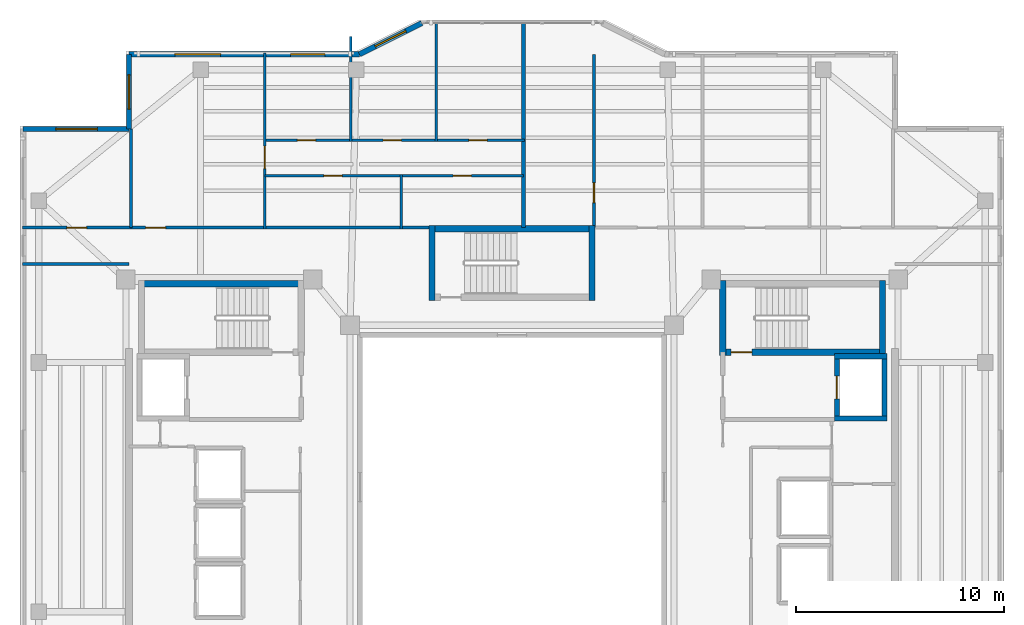
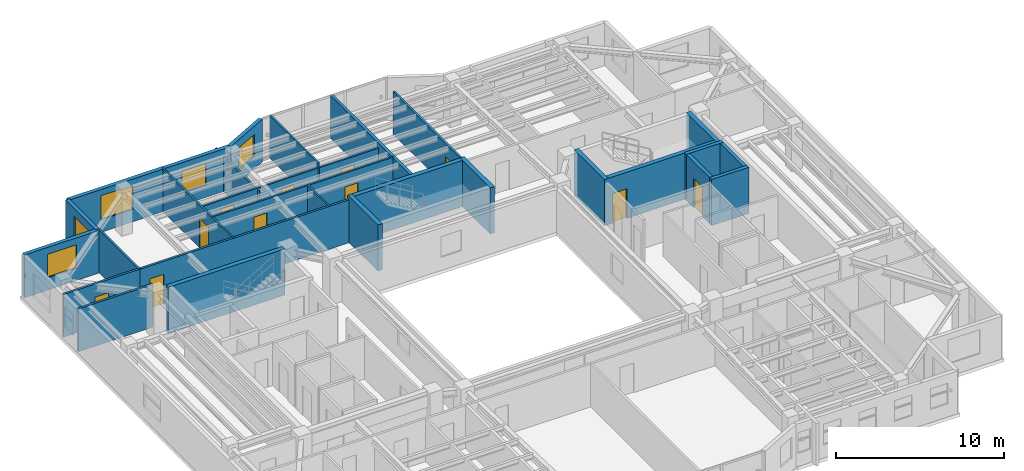
# One storey, part 9 of 13: 28 walls, 11 doors, 5 windows, 16 openings.
"""IFC4 building model written with IfcOpenShell, lengths in metres."""

from ifc_helpers import new_model, si_unit, direction, frame, frame_2d, origin, place, context, subcontext, project, spatial, rectangle, extrude, material, layer, layer_set, type_object, element, fill, save


model = new_model("IFC4")

# Units and contexts
model_context = context("Model", 3, precision=1e-05, world=origin(), true_north=direction((0.0, 1.0)))
body_context = subcontext(model_context, "Body", "Model", "MODEL_VIEW")
ifc_project = project(units=[si_unit("LENGTHUNIT", "METRE"), si_unit("AREAUNIT", "SQUARE_METRE"), si_unit("VOLUMEUNIT", "CUBIC_METRE"), si_unit("PLANEANGLEUNIT", "RADIAN"), si_unit("MASSUNIT", "GRAM", prefix="KILO")], contexts=[model_context])

# Site, building, storey
site_placement = place(None, origin())
site = spatial("IfcSite", under=ifc_project, at=site_placement, CompositionType="ELEMENT")
building_placement = place(site_placement, origin())
building = spatial("IfcBuilding", under=site, at=building_placement, Name="Tarnavaz Court Tower", CompositionType="ELEMENT")
storey_placement = place(building_placement, frame((0.0, 0.0, 196.949951171875)))
storey = spatial("IfcBuildingStorey", under=building, at=storey_placement, Name="L53", CompositionType="ELEMENT", Elevation=196.949951171875)

# Wall, opening, door
ifc_material_1 = material(Name="Concrete C50/60", Category="concrete")
ifc_layer_1 = layer(ifc_material_1, 0.25)
ifc_layer_set_1 = layer_set([ifc_layer_1], Name="Concrete C50/60")
wall_type_1 = type_object("IfcWallType", Name="WL-CORE-250-C50", PredefinedType="SHEAR", material=ifc_layer_set_1)
wall_1_placement = place(storey_placement, frame((15.64990234375, 3.175048828125, 0.0), z_axis=(0.0, 0.0, 1.0), x_axis=(0.0, 1.0, 0.0)))
wall_1 = element("IfcWall", 1, at=wall_1_placement, inside=storey, type_object=wall_type_1, Name="L53 Lift FL-E1 Shaft Wall 033", PredefinedType="SHEAR", context=body_context, shape_type="SweptSolid", body=[
    extrude(rectangle(XDim=3.25, YDim=0.25, at=frame_2d((1.625, 0.0))), origin(), (0.0, 0.0, 1.0), 3.35009765625),
])
opening_1_placement = place(wall_1_placement, frame((1.074951171875, 0.0, 0.0)))
opening_1 = element("IfcOpeningElement", 2, at=opening_1_placement, cuts=wall_1, Name="Opening LD1", PredefinedType="OPENING", context=body_context, shape_type="SweptSolid", body=[
    extrude(rectangle(XDim=1.10009765625, YDim=2.14990234375, at=frame_2d((0.550048828125, 1.074951171875))), frame((0.0, 0.135009765625, 0.0), z_axis=(0.0, -1.0, 0.0), x_axis=(1.0, 0.0, 0.0)), (0.0, 0.0, 1.0), 0.27001953125),
])
ifc_material_2 = material(Name="Stainless Steel", Category="steel")
door_type_1 = type_object("IfcDoorType", Name="DR-LD-1100", OperationType="NOTDEFINED", PredefinedType="DOOR", material=ifc_material_2)
door_1_placement = place(opening_1_placement, origin())
door_1 = element("IfcDoor", 3, at=door_1_placement, inside=storey, type_object=door_type_1, Name="L53 Lift Landing Door LD-FL-E1", OperationType="SLIDING_TO_LEFT", OverallHeight=2.14990234375, OverallWidth=1.10009765625, PredefinedType="DOOR", context=body_context, shape_type="SweptSolid", body=[
    extrude(rectangle(XDim=1.10009765625, YDim=2.14990234375, at=frame_2d((0.550048828125, 1.074951171875))), frame((0.0, 0.02490234375, 0.0), z_axis=(0.0, -1.0, 0.0), x_axis=(1.0, 0.0, 0.0)), (0.0, 0.0, 1.0), 0.050048828125),
])
fill(opening_1, door_1)

# Walls
wall_2_placement = place(storey_placement, frame((17.949951171875, 3.175048828125, 0.0), z_axis=(0.0, 0.0, 1.0), x_axis=(0.0, 1.0, 0.0)))
element("IfcWall", 4, at=wall_2_placement, inside=storey, type_object=wall_type_1, Name="L53 Lift FL-E1 Shaft Wall 034", PredefinedType="SHEAR", context=body_context, shape_type="SweptSolid", body=[
    extrude(rectangle(XDim=3.25, YDim=0.25, at=frame_2d((1.625, 0.0))), origin(), (0.0, 0.0, 1.0), 3.35009765625),
])
for number, where, z_axis, x_axis, name in (
    (5, (15.52490234375, 3.300048828125, 0.0), (0.0, 0.0, 1.0), (1.0, 0.0, 0.0), "L53 Lift FL-E1 Shaft Wall 035"),
    (6, (15.52490234375, 6.300048828125, 0.0), (0.0, 0.0, 1.0), (1.0, 0.0, 0.0), "L53 Lift FL-E1 Shaft Wall 036"),
):
    element("IfcWall", number, at=place(storey_placement, frame(where, z_axis=z_axis, x_axis=x_axis)), inside=storey, type_object=wall_type_1, Name=name, PredefinedType="SHEAR", context=body_context, shape_type="SweptSolid", body=[
        extrude(rectangle(XDim=2.550048828125, YDim=0.25, at=frame_2d((1.27490234375, 0.0))), origin(), (0.0, 0.0, 1.0), 3.35009765625),
    ])
ifc_layer_2 = layer(ifc_material_1, 0.300048828125)
ifc_layer_set_2 = layer_set([ifc_layer_2], Name="Concrete C50/60")
wall_type_2 = type_object("IfcWallType", Name="WL-CORE-300-C50", PredefinedType="SHEAR", material=ifc_layer_set_2)
wall_3_placement = place(storey_placement, frame((-18.0, 9.7900390625, 0.0), z_axis=(0.0, 0.0, 1.0), x_axis=(1.0, 0.0, 0.0)))
element("IfcWall", 7, at=wall_3_placement, inside=storey, type_object=wall_type_2, Name="L53 West Stair Core Wall 001", PredefinedType="SHEAR", context=body_context, shape_type="SweptSolid", body=[
    extrude(rectangle(XDim=8.0, YDim=0.300048828125, at=frame_2d((4.0, 0.0))), origin(), (0.0, 0.0, 1.0), 3.35009765625),
])

# Wall, opening, door
wall_4_placement = place(storey_placement, frame((10.0, 6.5, 0.0), z_axis=(0.0, 0.0, 1.0), x_axis=(1.0, 0.0, 0.0)))
wall_4 = element("IfcWall", 8, at=wall_4_placement, inside=storey, type_object=wall_type_2, Name="L53 East Stair Core Wall 006", PredefinedType="SHEAR", context=body_context, shape_type="SweptSolid", body=[
    extrude(rectangle(XDim=8.0, YDim=0.300048828125, at=frame_2d((4.0, 0.0))), origin(), (0.0, 0.0, 1.0), 3.35009765625),
])
opening_2_placement = place(wall_4_placement, frame((0.550048828125, 0.0, 0.0)))
opening_2 = element("IfcOpeningElement", 9, at=opening_2_placement, cuts=wall_4, Name="Opening D01", PredefinedType="OPENING", context=body_context, shape_type="SweptSolid", body=[
    extrude(rectangle(XDim=1.0, YDim=2.14990234375, at=frame_2d((0.5, 1.074951171875))), frame((0.0, 0.159912109375, 0.0), z_axis=(0.0, -1.0, 0.0), x_axis=(1.0, 0.0, 0.0)), (0.0, 0.0, 1.0), 0.320068359375),
])
ifc_material_3 = material(Name="Fire-Rated Hardwood Timber Core", Category="wood")
door_type_2 = type_object("IfcDoorType", Name="DR-FD90-1000", OperationType="NOTDEFINED", PredefinedType="DOOR", material=ifc_material_3)
door_2_placement = place(opening_2_placement, origin())
door_2 = element("IfcDoor", 10, at=door_2_placement, inside=storey, type_object=door_type_2, Name="L53 Stair ST-E1 Exit Door", OperationType="SINGLE_SWING_RIGHT", OverallHeight=2.14990234375, OverallWidth=1.0, PredefinedType="DOOR", context=body_context, shape_type="SweptSolid", body=[
    extrude(rectangle(XDim=1.0, YDim=2.14990234375, at=frame_2d((0.5, 1.074951171875))), frame((0.0, 0.02490234375, 0.0), z_axis=(0.0, -1.0, 0.0), x_axis=(1.0, 0.0, 0.0)), (0.0, 0.0, 1.0), 0.050048828125),
])
fill(opening_2, door_2)

# Walls
for number, where, z_axis, x_axis, name in (
    (11, (10.14990234375, 6.35009765625, 0.0), (0.0, 0.0, 1.0), (0.0, 1.0, 0.0), "L53 East Stair Core Wall 007"),
    (12, (17.85009765625, 6.35009765625, 0.0), (0.0, 0.0, 1.0), (0.0, 1.0, 0.0), "L53 East Stair Core Wall 008"),
):
    element("IfcWall", number, at=place(storey_placement, frame(where, z_axis=z_axis, x_axis=x_axis)), inside=storey, type_object=wall_type_2, Name=name, PredefinedType="SHEAR", context=body_context, shape_type="SweptSolid", body=[
        extrude(rectangle(XDim=3.58984375, YDim=0.300048828125, at=frame_2d((1.794921875, 0.0))), origin(), (0.0, 0.0, 1.0), 3.35009765625),
    ])
wall_5_placement = place(storey_placement, frame((-4.0, 12.43994140625, 0.0), z_axis=(0.0, 0.0, 1.0), x_axis=(1.0, 0.0, 0.0)))
element("IfcWall", 13, at=wall_5_placement, inside=storey, type_object=wall_type_2, Name="L53 North Stair Core Wall 009", PredefinedType="SHEAR", context=body_context, shape_type="SweptSolid", body=[
    extrude(rectangle(XDim=8.0, YDim=0.300048828125, at=frame_2d((4.0, 0.0))), origin(), (0.0, 0.0, 1.0), 3.35009765625),
])
for number, where, z_axis, x_axis, name in (
    (14, (-3.85009765625, 9.0, 0.0), (0.0, 0.0, 1.0), (0.0, 1.0, 0.0), "L53 North Stair Core Wall 011"),
    (15, (3.85009765625, 9.0, 0.0), (0.0, 0.0, 1.0), (0.0, 1.0, 0.0), "L53 North Stair Core Wall 012"),
):
    element("IfcWall", number, at=place(storey_placement, frame(where, z_axis=z_axis, x_axis=x_axis)), inside=storey, type_object=wall_type_2, Name=name, PredefinedType="SHEAR", context=body_context, shape_type="SweptSolid", body=[
        extrude(rectangle(XDim=3.590087890625, YDim=0.300048828125, at=frame_2d((1.794921875, 0.0))), origin(), (0.0, 0.0, 1.0), 3.35009765625),
    ])

# Wall, opening, window
ifc_material_4 = material(Name="Precast Concrete C40/50", Category="concrete")
ifc_layer_3 = layer(ifc_material_4, 0.260009765625)
ifc_layer_set_3 = layer_set([ifc_layer_3], Name="Precast Concrete C40/50")
wall_type_3 = type_object("IfcWallType", Name="WL-EXT-260", PredefinedType="SOLIDWALL", material=ifc_layer_set_3)
wall_6_placement = place(storey_placement, frame((-23.550048828125, 17.25, 0.0), z_axis=(0.0, 0.0, 1.0), x_axis=(1.0, 0.0, 0.0)))
wall_6 = element("IfcWall", 16, at=wall_6_placement, inside=storey, type_object=wall_type_3, Name="L53 Exterior Terracotta Facade Wall 03", PredefinedType="SOLIDWALL", context=body_context, shape_type="SweptSolid", body=[
    extrude(rectangle(XDim=5.10009765625, YDim=0.260009765625, at=frame_2d((2.550048828125, 0.0))), origin(), (0.0, 0.0, 1.0), 3.10009765625),
])
opening_3_placement = place(wall_6_placement, frame((1.574951171875, 0.0, 0.89990234375)))
opening_3 = element("IfcOpeningElement", 17, at=opening_3_placement, cuts=wall_6, Name="Opening W08", PredefinedType="OPENING", context=body_context, shape_type="SweptSolid", body=[
    extrude(rectangle(XDim=2.0, YDim=1.699951171875, at=frame_2d((1.0, 0.85009765625))), frame((0.0, 0.139892578125, 0.0), z_axis=(0.0, -1.0, 0.0), x_axis=(1.0, 0.0, 0.0)), (0.0, 0.0, 1.0), 0.280029296875),
])
ifc_material_5 = material(Name="Double-Glazed Solar Low-E Glass", Category="glass")
window_type_1 = type_object("IfcWindowType", Name="WN-APT-2000", PartitioningType="DOUBLE_PANEL_VERTICAL", PredefinedType="WINDOW", material=ifc_material_5)
window_1_placement = place(opening_3_placement, origin())
window_1 = element("IfcWindow", 18, at=window_1_placement, inside=storey, type_object=window_type_1, Name="L53 North-West Corner Sunroom Study Window", OverallHeight=1.699951171875, OverallWidth=2.0, PartitioningType="SINGLE_PANEL", PredefinedType="WINDOW", context=body_context, shape_type="SweptSolid", body=[
    extrude(rectangle(XDim=2.0, YDim=1.699951171875, at=frame_2d((1.0, 0.85009765625))), frame((0.0, 0.030029296875, 0.0), z_axis=(0.0, -1.0, 0.0), x_axis=(1.0, 0.0, 0.0)), (0.0, 0.0, 1.0), 0.06005859375),
])
fill(opening_3, window_1)

wall_7_placement = place(storey_placement, frame((-18.449951171875, 17.25, 0.0), z_axis=(0.0, 0.0, 1.0), x_axis=(0.0, 1.0, 0.0)))
wall_7 = element("IfcWall", 19, at=wall_7_placement, inside=storey, type_object=wall_type_3, Name="L53 Exterior Terracotta Facade Wall 04", PredefinedType="SOLIDWALL", context=body_context, shape_type="SweptSolid", body=[
    extrude(rectangle(XDim=3.60009765625, YDim=0.260009765625, at=frame_2d((1.800048828125, 0.0))), origin(), (0.0, 0.0, 1.0), 3.10009765625),
])
opening_4_placement = place(wall_7_placement, frame((0.95751953125, 0.0, 0.89990234375)))
opening_4 = element("IfcOpeningElement", 20, at=opening_4_placement, cuts=wall_7, Name="Opening W02", PredefinedType="OPENING", context=body_context, shape_type="SweptSolid", body=[
    extrude(rectangle(XDim=1.64990234375, YDim=1.60009765625, at=frame_2d((0.824951171875, 0.800048828125))), frame((0.0, 0.139892578125, 0.0), z_axis=(0.0, -1.0, 0.0), x_axis=(1.0, 0.0, 0.0)), (0.0, 0.0, 1.0), 0.280029296875),
])
window_type_2 = type_object("IfcWindowType", Name="WN-APT-1650", PartitioningType="DOUBLE_PANEL_VERTICAL", PredefinedType="WINDOW", material=ifc_material_5)
window_2_placement = place(opening_4_placement, origin())
window_2 = element("IfcWindow", 21, at=window_2_placement, inside=storey, type_object=window_type_2, Name="L53 Flat 01 Living and Dining Room Window", OverallHeight=1.60009765625, OverallWidth=1.64990234375, PartitioningType="SINGLE_PANEL", PredefinedType="WINDOW", context=body_context, shape_type="SweptSolid", body=[
    extrude(rectangle(XDim=1.64990234375, YDim=1.60009765625, at=frame_2d((0.824951171875, 0.800048828125))), frame((0.0, 0.030029296875, 0.0), z_axis=(0.0, -1.0, 0.0), x_axis=(1.0, 0.0, 0.0)), (0.0, 0.0, 1.0), 0.06005859375),
])
fill(opening_4, window_2)

# Wall, openings, windows
wall_8_placement = place(storey_placement, frame((-18.449951171875, 20.85009765625, 0.0), z_axis=(0.0, 0.0, 1.0), x_axis=(1.0, 0.0, 0.0)))
wall_8 = element("IfcWall", 22, at=wall_8_placement, inside=storey, type_object=wall_type_3, Name="L53 Exterior Terracotta Facade Wall 05", PredefinedType="SOLIDWALL", context=body_context, shape_type="SweptSolid", body=[
    extrude(rectangle(XDim=11.099853515625, YDim=0.260009765625, at=frame_2d((5.5498046875, 0.0))), origin(), (0.0, 0.0, 1.0), 3.10009765625),
])
opening_5_placement = place(wall_8_placement, frame((2.21484375, 0.0, 0.89990234375)))
opening_5 = element("IfcOpeningElement", 23, at=opening_5_placement, cuts=wall_8, Name="Opening W07", PredefinedType="OPENING", context=body_context, shape_type="SweptSolid", body=[
    extrude(rectangle(XDim=2.199951171875, YDim=1.75, at=frame_2d((1.10009765625, 0.875))), frame((0.0, 0.139892578125, 0.0), z_axis=(0.0, -1.0, 0.0), x_axis=(1.0, 0.0, 0.0)), (0.0, 0.0, 1.0), 0.280029296875),
])
opening_6_placement = place(wall_8_placement, frame((7.788818359375, 0.0, 0.89990234375)))
opening_6 = element("IfcOpeningElement", 24, at=opening_6_placement, cuts=wall_8, Name="Opening W02", PredefinedType="OPENING", context=body_context, shape_type="SweptSolid", body=[
    extrude(rectangle(XDim=1.64990234375, YDim=1.60009765625, at=frame_2d((0.824951171875, 0.800048828125))), frame((0.0, 0.139892578125, 0.0), z_axis=(0.0, -1.0, 0.0), x_axis=(1.0, 0.0, 0.0)), (0.0, 0.0, 1.0), 0.280029296875),
])
window_3_placement = place(opening_6_placement, origin())
window_3 = element("IfcWindow", 25, at=window_3_placement, inside=storey, type_object=window_type_2, Name="L53 Flat 01 Principal Bedroom Window", OverallHeight=1.60009765625, OverallWidth=1.64990234375, PartitioningType="SINGLE_PANEL", PredefinedType="WINDOW", context=body_context, shape_type="SweptSolid", body=[
    extrude(rectangle(XDim=1.64990234375, YDim=1.60009765625, at=frame_2d((0.824951171875, 0.800048828125))), frame((0.0, 0.030029296875, 0.0), z_axis=(0.0, -1.0, 0.0), x_axis=(1.0, 0.0, 0.0)), (0.0, 0.0, 1.0), 0.06005859375),
])
fill(opening_6, window_3)
window_type_3 = type_object("IfcWindowType", Name="WN-APT-2200", PartitioningType="TRIPLE_PANEL_VERTICAL", PredefinedType="WINDOW", material=ifc_material_5)
window_4_placement = place(opening_5_placement, origin())
window_4 = element("IfcWindow", 26, at=window_4_placement, inside=storey, type_object=window_type_3, Name="L53 Flat 01 Living and Dining Room Window", OverallHeight=1.75, OverallWidth=2.199951171875, PartitioningType="SINGLE_PANEL", PredefinedType="WINDOW", context=body_context, shape_type="SweptSolid", body=[
    extrude(rectangle(XDim=2.199951171875, YDim=1.75, at=frame_2d((1.10009765625, 0.875))), frame((0.0, 0.030029296875, 0.0), z_axis=(0.0, -1.0, 0.0), x_axis=(1.0, 0.0, 0.0)), (0.0, 0.0, 1.0), 0.06005859375),
])
fill(opening_5, window_4)

# Wall, opening, window
wall_9_placement = place(storey_placement, frame((-7.35009765625, 20.85009765625, 0.0), z_axis=(0.0, 0.0, 1.0), x_axis=(0.894427191, 0.4472135955, 0.0)))
wall_9 = element("IfcWall", 27, at=wall_9_placement, inside=storey, type_object=wall_type_3, Name="L53 Exterior Terracotta Facade Wall 06", PredefinedType="SOLIDWALL", context=body_context, shape_type="SweptSolid", body=[
    extrude(rectangle(XDim=3.35400390625, YDim=0.260009765625, at=frame_2d((1.677001953125, 0.0))), origin(), (0.0, 0.0, 1.0), 3.10009765625),
])
opening_7_placement = place(wall_9_placement, frame((0.85205078125, 0.0, 0.89990234375)))
opening_7 = element("IfcOpeningElement", 28, at=opening_7_placement, cuts=wall_9, Name="Opening W02", PredefinedType="OPENING", context=body_context, shape_type="SweptSolid", body=[
    extrude(rectangle(XDim=1.64990234375, YDim=1.60009765625, at=frame_2d((0.824951171875, 0.800048828125))), frame((0.0, 0.139892578125, 0.0), z_axis=(0.0, -1.0, 0.0), x_axis=(1.0, 0.0, 0.0)), (0.0, 0.0, 1.0), 0.280029296875),
])
window_5_placement = place(opening_7_placement, origin())
window_5 = element("IfcWindow", 29, at=window_5_placement, inside=storey, type_object=window_type_2, Name="L53 Flat 01 Bedroom 2 Window", OverallHeight=1.60009765625, OverallWidth=1.64990234375, PartitioningType="SINGLE_PANEL", PredefinedType="WINDOW", context=body_context, shape_type="SweptSolid", body=[
    extrude(rectangle(XDim=1.64990234375, YDim=1.60009765625, at=frame_2d((0.824951171875, 0.800048828125))), frame((0.0, 0.030029296875, 0.0), z_axis=(0.0, -1.0, 0.0), x_axis=(1.0, 0.0, 0.0)), (0.0, 0.0, 1.0), 0.06005859375),
])
fill(opening_7, window_5)

# Wall, opening, door
ifc_material_6 = material(Name="Gypsum Fire-Board on Acoustic Metal Stud", Category="masonry")
ifc_layer_4 = layer(ifc_material_6, 0.14990234375)
ifc_layer_set_4 = layer_set([ifc_layer_4], Name="Gypsum Fire-Board on Acoustic Metal Stud")
wall_type_4 = type_object("IfcWallType", Name="WL-FIRE-150", PredefinedType="PARTITIONING", material=ifc_layer_set_4)
wall_10_placement = place(storey_placement, frame((-18.35009765625, 12.5, 0.0), z_axis=(0.0, 0.0, 1.0), x_axis=(1.0, 0.0, 0.0)))
wall_10 = element("IfcWall", 30, at=wall_10_placement, inside=storey, type_object=wall_type_4, Name="L53 NW Wing Corridor Wall 060", PredefinedType="PARTITIONING", context=body_context, shape_type="SweptSolid", body=[
    extrude(rectangle(XDim=14.5, YDim=0.14990234375, at=frame_2d((7.25, 0.0))), origin(), (0.0, 0.0, 1.0), 3.10009765625),
])
opening_8_placement = place(wall_10_placement, frame((0.699951171875, 0.0, 0.0)))
opening_8 = element("IfcOpeningElement", 31, at=opening_8_placement, cuts=wall_10, Name="Opening D06", PredefinedType="OPENING", context=body_context, shape_type="SweptSolid", body=[
    extrude(rectangle(XDim=0.9599609375, YDim=2.14990234375, at=frame_2d((0.47998046875, 1.074951171875))), frame((0.0, 0.0849609375, 0.0), z_axis=(0.0, -1.0, 0.0), x_axis=(1.0, 0.0, 0.0)), (0.0, 0.0, 1.0), 0.169921875),
])
door_type_3 = type_object("IfcDoorType", Name="DR-FD60-950", OperationType="NOTDEFINED", PredefinedType="DOOR", material=ifc_material_3)
door_3_placement = place(opening_8_placement, origin())
door_3 = element("IfcDoor", 32, at=door_3_placement, inside=storey, type_object=door_type_3, Name="L53 Flat 01 Entrance Door", OperationType="SINGLE_SWING_RIGHT", OverallHeight=2.14990234375, OverallWidth=0.9599609375, PredefinedType="DOOR", context=body_context, shape_type="SweptSolid", body=[
    extrude(rectangle(XDim=0.9599609375, YDim=2.14990234375, at=frame_2d((0.47998046875, 1.074951171875))), frame((0.0, 0.02490234375, 0.0), z_axis=(0.0, -1.0, 0.0), x_axis=(1.0, 0.0, 0.0)), (0.0, 0.0, 1.0), 0.050048828125),
])
fill(opening_8, door_3)

# Wall
wall_11_placement = place(storey_placement, frame((-23.580078125, 10.75, 0.0), z_axis=(0.0, 0.0, 1.0), x_axis=(1.0, 0.0, 0.0)))
element("IfcWall", 33, at=wall_11_placement, inside=storey, type_object=wall_type_4, Name="L53 Interior Partition 089", PredefinedType="PARTITIONING", context=body_context, shape_type="SweptSolid", body=[
    extrude(rectangle(XDim=5.130126953125, YDim=0.14990234375, at=frame_2d((2.56494140625, 0.0))), origin(), (0.0, 0.0, 1.0), 3.10009765625),
])

# Wall, opening, door
wall_12_placement = place(storey_placement, frame((-23.580078125, 12.5, 0.0), z_axis=(0.0, 0.0, 1.0), x_axis=(1.0, 0.0, 0.0)))
wall_12 = element("IfcWall", 34, at=wall_12_placement, inside=storey, type_object=wall_type_4, Name="L53 Interior Partition 096", PredefinedType="PARTITIONING", context=body_context, shape_type="SweptSolid", body=[
    extrude(rectangle(XDim=5.22998046875, YDim=0.14990234375, at=frame_2d((2.614990234375, 0.0))), origin(), (0.0, 0.0, 1.0), 3.10009765625),
])
opening_9_placement = place(wall_12_placement, frame((2.139892578125, 0.0, 0.0)))
opening_9 = element("IfcOpeningElement", 35, at=opening_9_placement, cuts=wall_12, Name="Opening D13", PredefinedType="OPENING", context=body_context, shape_type="SweptSolid", body=[
    extrude(rectangle(XDim=0.949951171875, YDim=2.14990234375, at=frame_2d((0.47509765625, 1.074951171875))), frame((0.0, 0.0849609375, 0.0), z_axis=(0.0, -1.0, 0.0), x_axis=(1.0, 0.0, 0.0)), (0.0, 0.0, 1.0), 0.169921875),
])
ifc_material_7 = material(Name="Engineered Oak Timber", Category="wood")
door_type_4 = type_object("IfcDoorType", Name="DR-INT-950", OperationType="NOTDEFINED", PredefinedType="DOOR", material=ifc_material_7)
door_4_placement = place(opening_9_placement, origin())
door_4 = element("IfcDoor", 36, at=door_4_placement, inside=storey, type_object=door_type_4, Name="L53 NW Sunroom Door", OperationType="SINGLE_SWING_RIGHT", OverallHeight=2.14990234375, OverallWidth=0.949951171875, PredefinedType="DOOR", context=body_context, shape_type="SweptSolid", body=[
    extrude(rectangle(XDim=0.949951171875, YDim=2.14990234375, at=frame_2d((0.47509765625, 1.074951171875))), frame((0.0, 0.02490234375, 0.0), z_axis=(0.0, -1.0, 0.0), x_axis=(1.0, 0.0, 0.0)), (0.0, 0.0, 1.0), 0.050048828125),
])
fill(opening_9, door_4)

# Wall
ifc_material_8 = material(Name="Autoclaved Aerated Concrete Blockwork", Category="masonry")
ifc_layer_5 = layer(ifc_material_8, 0.199951171875)
ifc_layer_set_5 = layer_set([ifc_layer_5], Name="Autoclaved Aerated Concrete Blockwork")
wall_type_5 = type_object("IfcWallType", Name="WL-FIRE-200", PredefinedType="SOLIDWALL", material=ifc_layer_set_5)
wall_13_placement = place(storey_placement, frame((0.550048828125, 12.5, 0.0), z_axis=(0.0, 0.0, 1.0), x_axis=(0.0, 1.0, 0.0)))
element("IfcWall", 37, at=wall_13_placement, inside=storey, type_object=wall_type_5, Name="L53 North Center Party Wall 064", PredefinedType="SOLIDWALL", context=body_context, shape_type="SweptSolid", body=[
    extrude(rectangle(XDim=9.8798828125, YDim=0.199951171875, at=frame_2d((4.93994140625, 0.0))), origin(), (0.0, 0.0, 1.0), 3.10009765625),
])

# Wall, opening, door
ifc_material_9 = material(Name="Moisture-Resistant Gypsum Board Partition", Category="masonry")
ifc_layer_6 = layer(ifc_material_9, 0.1201171875)
ifc_layer_set_6 = layer_set([ifc_layer_6], Name="Moisture-Resistant Gypsum Board Partition")
wall_type_6 = type_object("IfcWallType", Name="WL-PART-120", PredefinedType="PARTITIONING", material=ifc_layer_set_6)
wall_14_placement = place(storey_placement, frame((-11.905029296875, 12.43994140625, 0.0), z_axis=(0.0, 0.0, 1.0), x_axis=(0.0, 1.0, 0.0)))
wall_14 = element("IfcWall", 38, at=wall_14_placement, inside=storey, type_object=wall_type_6, Name="L53 Interior Partition 065", PredefinedType="PARTITIONING", context=body_context, shape_type="SweptSolid", body=[
    extrude(rectangle(XDim=8.4599609375, YDim=0.1201171875, at=frame_2d((4.22998046875, 0.0))), origin(), (0.0, 0.0, 1.0), 3.10009765625),
])
opening_10_placement = place(wall_14_placement, frame((2.905029296875, 0.0, 0.0)))
opening_10 = element("IfcOpeningElement", 39, at=opening_10_placement, cuts=wall_14, Name="Opening D12", PredefinedType="OPENING", context=body_context, shape_type="SweptSolid", body=[
    extrude(rectangle(XDim=1.080078125, YDim=2.14990234375, at=frame_2d((0.5400390625, 1.074951171875))), frame((0.0, 0.070068359375, 0.0), z_axis=(0.0, -1.0, 0.0), x_axis=(1.0, 0.0, 0.0)), (0.0, 0.0, 1.0), 0.14013671875),
])
door_type_5 = type_object("IfcDoorType", Name="DR-INT-1100", OperationType="NOTDEFINED", PredefinedType="DOOR", material=ifc_material_7)
door_5_placement = place(opening_10_placement, origin())
door_5 = element("IfcDoor", 40, at=door_5_placement, inside=storey, type_object=door_type_5, Name="L53 Flat 01 Foyer Door", OperationType="SINGLE_SWING_LEFT", OverallHeight=2.14990234375, OverallWidth=1.080078125, PredefinedType="DOOR", context=body_context, shape_type="SweptSolid", body=[
    extrude(rectangle(XDim=1.080078125, YDim=2.14990234375, at=frame_2d((0.5400390625, 1.074951171875))), frame((0.0, 0.02490234375, 0.0), z_axis=(0.0, -1.0, 0.0), x_axis=(1.0, 0.0, 0.0)), (0.0, 0.0, 1.0), 0.050048828125),
])
fill(opening_10, door_5)

wall_15_placement = place(storey_placement, frame((-11.905029296875, 15.0, 0.0), z_axis=(0.0, 0.0, 1.0), x_axis=(1.0, 0.0, 0.0)))
wall_15 = element("IfcWall", 41, at=wall_15_placement, inside=storey, type_object=wall_type_6, Name="L53 Interior Partition 066", PredefinedType="PARTITIONING", context=body_context, shape_type="SweptSolid", body=[
    extrude(rectangle(XDim=6.569091796875, YDim=0.1201171875, at=frame_2d((3.28466796875, 0.0))), origin(), (0.0, 0.0, 1.0), 3.10009765625),
])
opening_11_placement = place(wall_15_placement, frame((2.843994140625, 0.0, 0.0)))
opening_11 = element("IfcOpeningElement", 42, at=opening_11_placement, cuts=wall_15, Name="Opening D14", PredefinedType="OPENING", context=body_context, shape_type="SweptSolid", body=[
    extrude(rectangle(XDim=0.8798828125, YDim=2.10009765625, at=frame_2d((0.43994140625, 1.050048828125))), frame((0.0, 0.070068359375, 0.0), z_axis=(0.0, -1.0, 0.0), x_axis=(1.0, 0.0, 0.0)), (0.0, 0.0, 1.0), 0.14013671875),
])
door_type_6 = type_object("IfcDoorType", Name="DR-INT-900", OperationType="NOTDEFINED", PredefinedType="DOOR", material=ifc_material_7)
door_6_placement = place(opening_11_placement, origin())
door_6 = element("IfcDoor", 43, at=door_6_placement, inside=storey, type_object=door_type_6, Name="L53 Flat 01 Kitchen Door", OperationType="SINGLE_SWING_RIGHT", OverallHeight=2.10009765625, OverallWidth=0.8798828125, PredefinedType="DOOR", context=body_context, shape_type="SweptSolid", body=[
    extrude(rectangle(XDim=0.8798828125, YDim=2.10009765625, at=frame_2d((0.43994140625, 1.050048828125))), frame((0.0, 0.02490234375, 0.0), z_axis=(0.0, -1.0, 0.0), x_axis=(1.0, 0.0, 0.0)), (0.0, 0.0, 1.0), 0.050048828125),
])
fill(opening_11, door_6)

wall_16_placement = place(storey_placement, frame((-5.3359375, 15.0, 0.0), z_axis=(0.0, 0.0, 1.0), x_axis=(1.0, 0.0, 0.0)))
wall_16 = element("IfcWall", 44, at=wall_16_placement, inside=storey, type_object=wall_type_6, Name="L53 Interior Partition 067", PredefinedType="PARTITIONING", context=body_context, shape_type="SweptSolid", body=[
    extrude(rectangle(XDim=5.885986328125, YDim=0.1201171875, at=frame_2d((2.94287109375, 0.0))), origin(), (0.0, 0.0, 1.0), 3.10009765625),
])
opening_12_placement = place(wall_16_placement, frame((2.5029296875, 0.0, 0.0)))
opening_12 = element("IfcOpeningElement", 45, at=opening_12_placement, cuts=wall_16, Name="Opening D14", PredefinedType="OPENING", context=body_context, shape_type="SweptSolid", body=[
    extrude(rectangle(XDim=0.8798828125, YDim=2.10009765625, at=frame_2d((0.43994140625, 1.050048828125))), frame((0.0, 0.070068359375, 0.0), z_axis=(0.0, -1.0, 0.0), x_axis=(1.0, 0.0, 0.0)), (0.0, 0.0, 1.0), 0.14013671875),
])
door_7_placement = place(opening_12_placement, origin())
door_7 = element("IfcDoor", 46, at=door_7_placement, inside=storey, type_object=door_type_6, Name="L53 Flat 01 Bathroom Door", OperationType="SINGLE_SWING_LEFT", OverallHeight=2.10009765625, OverallWidth=0.8798828125, PredefinedType="DOOR", context=body_context, shape_type="SweptSolid", body=[
    extrude(rectangle(XDim=0.8798828125, YDim=2.10009765625, at=frame_2d((0.43994140625, 1.050048828125))), frame((0.0, 0.02490234375, 0.0), z_axis=(0.0, -1.0, 0.0), x_axis=(1.0, 0.0, 0.0)), (0.0, 0.0, 1.0), 0.050048828125),
])
fill(opening_12, door_7)

# Wall, openings, doors
wall_17_placement = place(storey_placement, frame((-11.965087890625, 16.7099609375, 0.0), z_axis=(0.0, 0.0, 1.0), x_axis=(1.0, 0.0, 0.0)))
wall_17 = element("IfcWall", 47, at=wall_17_placement, inside=storey, type_object=wall_type_6, Name="L53 Interior Partition 068", PredefinedType="PARTITIONING", context=body_context, shape_type="SweptSolid", body=[
    extrude(rectangle(XDim=12.5751953125, YDim=0.1201171875, at=frame_2d((6.28759765625, 0.0))), origin(), (0.0, 0.0, 1.0), 2.72509765625),
])
opening_13_placement = place(wall_17_placement, frame((1.6259765625, 0.0, 0.0)))
opening_13 = element("IfcOpeningElement", 48, at=opening_13_placement, cuts=wall_17, Name="Opening D14", PredefinedType="OPENING", context=body_context, shape_type="SweptSolid", body=[
    extrude(rectangle(XDim=0.8798828125, YDim=2.10009765625, at=frame_2d((0.43994140625, 1.050048828125))), frame((0.0, 0.070068359375, 0.0), z_axis=(0.0, -1.0, 0.0), x_axis=(1.0, 0.0, 0.0)), (0.0, 0.0, 1.0), 0.14013671875),
])
opening_14_placement = place(wall_17_placement, frame((5.758056640625, 0.0, 0.0)))
opening_14 = element("IfcOpeningElement", 49, at=opening_14_placement, cuts=wall_17, Name="Opening D14", PredefinedType="OPENING", context=body_context, shape_type="SweptSolid", body=[
    extrude(rectangle(XDim=0.8798828125, YDim=2.10009765625, at=frame_2d((0.43994140625, 1.050048828125))), frame((0.0, 0.070068359375, 0.0), z_axis=(0.0, -1.0, 0.0), x_axis=(1.0, 0.0, 0.0)), (0.0, 0.0, 1.0), 0.14013671875),
])
opening_15_placement = place(wall_17_placement, frame((9.888916015625, 0.0, 0.0)))
opening_15 = element("IfcOpeningElement", 50, at=opening_15_placement, cuts=wall_17, Name="Opening D14", PredefinedType="OPENING", context=body_context, shape_type="SweptSolid", body=[
    extrude(rectangle(XDim=0.8798828125, YDim=2.10009765625, at=frame_2d((0.43994140625, 1.050048828125))), frame((0.0, 0.070068359375, 0.0), z_axis=(0.0, -1.0, 0.0), x_axis=(1.0, 0.0, 0.0)), (0.0, 0.0, 1.0), 0.14013671875),
])
door_8_placement = place(opening_13_placement, origin())
door_8 = element("IfcDoor", 51, at=door_8_placement, inside=storey, type_object=door_type_6, Name="L53 Flat 01 Bedroom 1 Door", OperationType="SINGLE_SWING_RIGHT", OverallHeight=2.10009765625, OverallWidth=0.8798828125, PredefinedType="DOOR", context=body_context, shape_type="SweptSolid", body=[
    extrude(rectangle(XDim=0.8798828125, YDim=2.10009765625, at=frame_2d((0.43994140625, 1.050048828125))), frame((0.0, 0.02490234375, 0.0), z_axis=(0.0, -1.0, 0.0), x_axis=(1.0, 0.0, 0.0)), (0.0, 0.0, 1.0), 0.050048828125),
])
fill(opening_13, door_8)
door_9_placement = place(opening_14_placement, origin())
door_9 = element("IfcDoor", 52, at=door_9_placement, inside=storey, type_object=door_type_6, Name="L53 Flat 01 Bedroom 2 Door", OperationType="SINGLE_SWING_LEFT", OverallHeight=2.10009765625, OverallWidth=0.8798828125, PredefinedType="DOOR", context=body_context, shape_type="SweptSolid", body=[
    extrude(rectangle(XDim=0.8798828125, YDim=2.10009765625, at=frame_2d((0.43994140625, 1.050048828125))), frame((0.0, 0.02490234375, 0.0), z_axis=(0.0, -1.0, 0.0), x_axis=(1.0, 0.0, 0.0)), (0.0, 0.0, 1.0), 0.050048828125),
])
fill(opening_14, door_9)
door_10_placement = place(opening_15_placement, origin())
door_10 = element("IfcDoor", 53, at=door_10_placement, inside=storey, type_object=door_type_6, Name="L53 Flat 01 Bedroom 3 Door", OperationType="SINGLE_SWING_RIGHT", OverallHeight=2.10009765625, OverallWidth=0.8798828125, PredefinedType="DOOR", context=body_context, shape_type="SweptSolid", body=[
    extrude(rectangle(XDim=0.8798828125, YDim=2.10009765625, at=frame_2d((0.43994140625, 1.050048828125))), frame((0.0, 0.02490234375, 0.0), z_axis=(0.0, -1.0, 0.0), x_axis=(1.0, 0.0, 0.0)), (0.0, 0.0, 1.0), 0.050048828125),
])
fill(opening_15, door_10)

# Walls
wall_18_placement = place(storey_placement, frame((-5.3359375, 12.43994140625, 0.0), z_axis=(0.0, 0.0, 1.0), x_axis=(0.0, 1.0, 0.0)))
element("IfcWall", 54, at=wall_18_placement, inside=storey, type_object=wall_type_6, Name="L53 Interior Partition 069", PredefinedType="PARTITIONING", context=body_context, shape_type="SweptSolid", body=[
    extrude(rectangle(XDim=2.6201171875, YDim=0.1201171875, at=frame_2d((1.31005859375, 0.0))), origin(), (0.0, 0.0, 1.0), 3.10009765625),
])
wall_19_placement = place(storey_placement, frame((-7.77294921875, 16.64990234375, 0.0), z_axis=(0.0, 0.0, 1.0), x_axis=(0.0, 1.0, 0.0)))
element("IfcWall", 55, at=wall_19_placement, inside=storey, type_object=wall_type_6, Name="L53 Interior Partition 070", PredefinedType="PARTITIONING", context=body_context, shape_type="SweptSolid", body=[
    extrude(rectangle(XDim=5.046142578125, YDim=0.1201171875, at=frame_2d((2.52294921875, 0.0))), origin(), (0.0, 0.0, 1.0), 2.5849609375),
])
wall_20_placement = place(storey_placement, frame((-3.64208984375, 16.64990234375, 0.0), z_axis=(0.0, 0.0, 1.0), x_axis=(0.0, 1.0, 0.0)))
element("IfcWall", 56, at=wall_20_placement, inside=storey, type_object=wall_type_6, Name="L53 Interior Partition 071", PredefinedType="PARTITIONING", context=body_context, shape_type="SweptSolid", body=[
    extrude(rectangle(XDim=5.72998046875, YDim=0.1201171875, at=frame_2d((2.864990234375, 0.0))), origin(), (0.0, 0.0, 1.0), 3.10009765625),
])

# Wall, opening, door
ifc_material_10 = material(Name="Gypsum Plasterboard Acoustic Partition", Category="masonry")
ifc_layer_7 = layer(ifc_material_10, 0.139892578125)
ifc_layer_set_7 = layer_set([ifc_layer_7], Name="Gypsum Plasterboard Acoustic Partition")
wall_type_7 = type_object("IfcWallType", Name="WL-PART-150", PredefinedType="PARTITIONING", material=ifc_layer_set_7)
wall_21_placement = place(storey_placement, frame((3.949951171875, 12.5, 0.0), z_axis=(0.0, 0.0, 1.0), x_axis=(0.0, 1.0, 0.0)))
wall_21 = element("IfcWall", 57, at=wall_21_placement, inside=storey, type_object=wall_type_7, Name="L53 Interior Partition 072", PredefinedType="PARTITIONING", context=body_context, shape_type="SweptSolid", body=[
    extrude(rectangle(XDim=8.35009765625, YDim=0.139892578125, at=frame_2d((4.175048828125, 0.0))), origin(), (0.0, 0.0, 1.0), 3.10009765625),
])
opening_16_placement = place(wall_21_placement, frame((1.199951171875, 0.0, 0.0)))
opening_16 = element("IfcOpeningElement", 58, at=opening_16_placement, cuts=wall_21, Name="Opening D13", PredefinedType="OPENING", context=body_context, shape_type="SweptSolid", body=[
    extrude(rectangle(XDim=0.949951171875, YDim=2.14990234375, at=frame_2d((0.47509765625, 1.074951171875))), frame((0.0, 0.079833984375, 0.0), z_axis=(0.0, -1.0, 0.0), x_axis=(1.0, 0.0, 0.0)), (0.0, 0.0, 1.0), 0.159912109375),
])
door_11_placement = place(opening_16_placement, origin())
door_11 = element("IfcDoor", 59, at=door_11_placement, inside=storey, type_object=door_type_4, Name="L53 NE Iwan Reading Door", OperationType="SINGLE_SWING_RIGHT", OverallHeight=2.14990234375, OverallWidth=0.949951171875, PredefinedType="DOOR", context=body_context, shape_type="SweptSolid", body=[
    extrude(rectangle(XDim=0.949951171875, YDim=2.14990234375, at=frame_2d((0.47509765625, 1.074951171875))), frame((0.0, 0.02490234375, 0.0), z_axis=(0.0, -1.0, 0.0), x_axis=(1.0, 0.0, 0.0)), (0.0, 0.0, 1.0), 0.050048828125),
])
fill(opening_16, door_11)

# Wall
wall_22_placement = place(storey_placement, frame((-18.35009765625, 12.5, 0.0), z_axis=(0.0, 0.0, 1.0), x_axis=(0.0, 1.0, 0.0)))
element("IfcWall", 60, at=wall_22_placement, inside=storey, type_object=wall_type_7, Name="L53 Interior Partition 094", PredefinedType="PARTITIONING", context=body_context, shape_type="SweptSolid", body=[
    extrude(rectangle(XDim=4.75, YDim=0.139892578125, at=frame_2d((2.375, 0.0))), origin(), (0.0, 0.0, 1.0), 3.10009765625),
])

save(model, "model.ifc")
